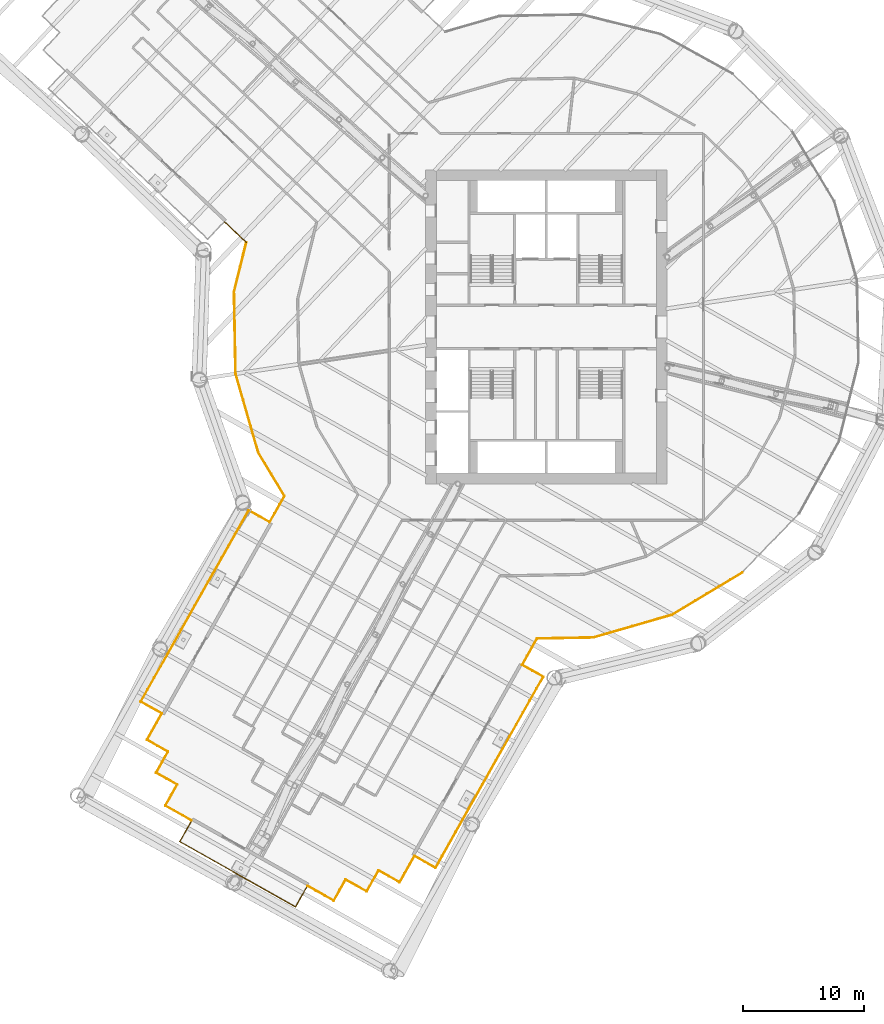
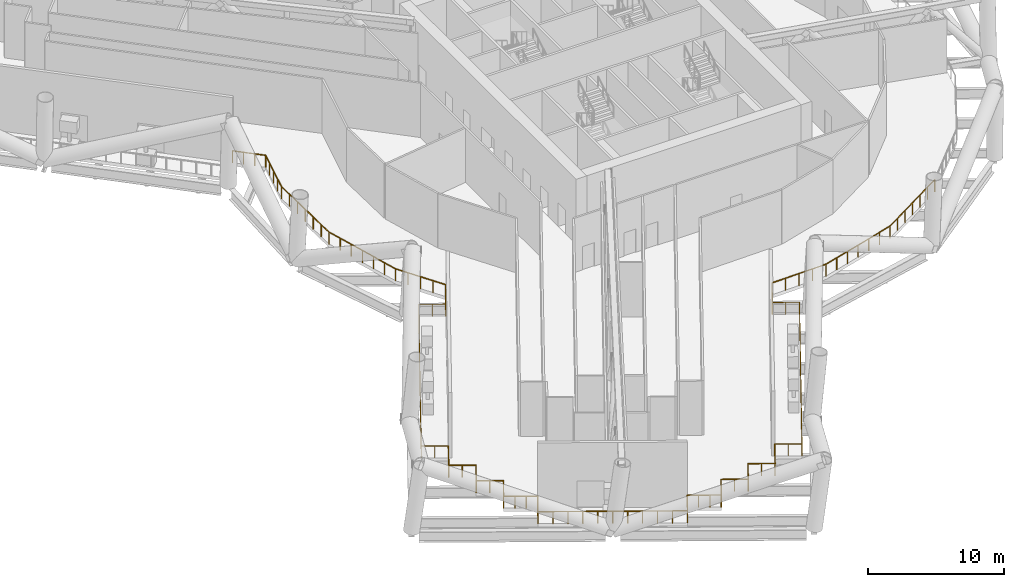
# One storey, part 34 of 39: 25 railings.
"""IFC4 building model written with IfcOpenShell, lengths in metres."""

from ifc_helpers import new_model, si_unit, direction, frame, origin, origin_2d, place, context, subcontext, project, spatial, circle, extrude, material, type_object, element, save


model = new_model("IFC4")

# Units and contexts
model_context = context("Model", 3, precision=1e-05, world=origin(), true_north=direction((0.0, 1.0)))
body_context = subcontext(model_context, "Body", "Model", "MODEL_VIEW")
ifc_project = project(units=[si_unit("LENGTHUNIT", "METRE"), si_unit("AREAUNIT", "SQUARE_METRE"), si_unit("VOLUMEUNIT", "CUBIC_METRE"), si_unit("PLANEANGLEUNIT", "RADIAN"), si_unit("MASSUNIT", "GRAM", prefix="KILO")], contexts=[model_context])

# Site, building, storey
site_placement = place(None, origin())
site = spatial("IfcSite", under=ifc_project, at=site_placement, CompositionType="ELEMENT")
building_placement = place(site_placement, origin())
building = spatial("IfcBuilding", under=site, at=building_placement, Name="Tarsis Ring Headquarters", CompositionType="ELEMENT")
storey_placement = place(building_placement, frame((0.0, 0.0, 86.800048828125)))
storey = spatial("IfcBuildingStorey", under=building, at=storey_placement, Name="L19", CompositionType="ELEMENT", Elevation=86.800048828125)

# Railings
ifc_material = material(Name="Stainless steel guard", Category="steel")
railing_type_1 = type_object("IfcRailingType", Name="Balcony balustrade with mesh infill 1100", PredefinedType="BALUSTRADE", material=ifc_material)
railing_1_placement = place(storey_placement, frame((-22.893798828125, -16.167236328125, 0.0)))
element("IfcRailing", 1, at=railing_1_placement, inside=storey, type_object=railing_type_1, Name="Balcony balustrade L19-06", PredefinedType="BALUSTRADE", context=body_context, shape_type="SweptSolid", body=[
    extrude(circle(Radius=0.030029296875, at=origin_2d()), frame((0.0, 0.0, 1.070068359375), z_axis=(-0.871053461918, 0.491188218996, 0.0), x_axis=(-0.491188218996, -0.871053461918, 0.0)), (0.0, 0.0, 1.0), 2.0),
    extrude(circle(Radius=0.030029296875, at=origin_2d()), frame((-1.7421875, 0.982421875, 1.070068359375), z_axis=(-0.491208811676, -0.871041849357, 0.0), x_axis=(0.871041849357, -0.491208811676, 0.0)), (0.0, 0.0, 1.0), 18.172119140625),
    extrude(circle(Radius=0.030029296875, at=origin_2d()), frame((-10.66845703125, -14.84619140625, 1.070068359375), z_axis=(0.871053461918, -0.491188218996, 0.0), x_axis=(0.491188218996, 0.871053461918, 0.0)), (0.0, 0.0, 1.0), 2.0),
    extrude(circle(Radius=0.02490234375, at=origin_2d()), origin(), (0.0, 0.0, 1.0), 1.0400390625),
    extrude(circle(Radius=0.02490234375, at=origin_2d()), frame((-0.87109375, 0.4912109375, 0.0)), (0.0, 0.0, 1.0), 1.0400390625),
    extrude(circle(Radius=0.02490234375, at=origin_2d()), frame((-1.7421875, 0.982421875, 0.0)), (0.0, 0.0, 1.0), 1.0400390625),
    extrude(circle(Radius=0.02490234375, at=origin_2d()), frame((-2.300048828125, -0.0068359375, 0.0)), (0.0, 0.0, 1.0), 1.0400390625),
    extrude(circle(Radius=0.02490234375, at=origin_2d()), frame((-2.85791015625, -0.99609375, 0.0)), (0.0, 0.0, 1.0), 1.0400390625),
    extrude(circle(Radius=0.02490234375, at=origin_2d()), frame((-3.415771484375, -1.9853515625, 0.0)), (0.0, 0.0, 1.0), 1.0400390625),
    extrude(circle(Radius=0.02490234375, at=origin_2d()), frame((-3.9736328125, -2.974609375, 0.0)), (0.0, 0.0, 1.0), 1.0400390625),
    extrude(circle(Radius=0.02490234375, at=origin_2d()), frame((-4.53173828125, -3.964111328125, 0.0)), (0.0, 0.0, 1.0), 1.0400390625),
    extrude(circle(Radius=0.02490234375, at=origin_2d()), frame((-5.089599609375, -4.953369140625, 0.0)), (0.0, 0.0, 1.0), 1.0400390625),
    extrude(circle(Radius=0.02490234375, at=origin_2d()), frame((-5.6474609375, -5.942626953125, 0.0)), (0.0, 0.0, 1.0), 1.0400390625),
    extrude(circle(Radius=0.02490234375, at=origin_2d()), frame((-6.205322265625, -6.931884765625, 0.0)), (0.0, 0.0, 1.0), 1.0400390625),
    extrude(circle(Radius=0.02490234375, at=origin_2d()), frame((-6.76318359375, -7.921142578125, 0.0)), (0.0, 0.0, 1.0), 1.0400390625),
    extrude(circle(Radius=0.02490234375, at=origin_2d()), frame((-7.321044921875, -8.910400390625, 0.0)), (0.0, 0.0, 1.0), 1.0400390625),
    extrude(circle(Radius=0.02490234375, at=origin_2d()), frame((-7.87890625, -9.899658203125, 0.0)), (0.0, 0.0, 1.0), 1.0400390625),
    extrude(circle(Radius=0.02490234375, at=origin_2d()), frame((-8.43701171875, -10.88916015625, 0.0)), (0.0, 0.0, 1.0), 1.0400390625),
    extrude(circle(Radius=0.02490234375, at=origin_2d()), frame((-8.994873046875, -11.87841796875, 0.0)), (0.0, 0.0, 1.0), 1.0400390625),
    extrude(circle(Radius=0.02490234375, at=origin_2d()), frame((-9.552734375, -12.86767578125, 0.0)), (0.0, 0.0, 1.0), 1.0400390625),
    extrude(circle(Radius=0.02490234375, at=origin_2d()), frame((-10.110595703125, -13.85693359375, 0.0)), (0.0, 0.0, 1.0), 1.0400390625),
    extrude(circle(Radius=0.02490234375, at=origin_2d()), frame((-10.66845703125, -14.84619140625, 0.0)), (0.0, 0.0, 1.0), 1.0400390625),
    extrude(circle(Radius=0.02490234375, at=origin_2d()), frame((-9.79736328125, -15.33740234375, 0.0)), (0.0, 0.0, 1.0), 1.0400390625),
    extrude(circle(Radius=0.02490234375, at=origin_2d()), frame((-8.92626953125, -15.82861328125, 0.0)), (0.0, 0.0, 1.0), 1.0400390625),
])
railing_2_placement = place(storey_placement, frame((-29.35107421875, -40.8505859375, 0.0)))
element("IfcRailing", 2, at=railing_2_placement, inside=storey, type_object=railing_type_1, Name="Balcony balustrade L19-11", PredefinedType="BALUSTRADE", context=body_context, shape_type="SweptSolid", body=[
    extrude(circle(Radius=0.030029296875, at=origin_2d()), frame((0.0, 0.0, 1.070068359375), z_axis=(-0.491240449181, -0.871024007183, 0.0), x_axis=(0.871024007183, -0.491240449181, 0.0)), (0.0, 0.0, 1.0), 2.0),
    extrude(circle(Radius=0.030029296875, at=origin_2d()), frame((-0.982421875, -1.741943359375, 1.070068359375), z_axis=(0.871042752192, -0.49120721071, 0.0), x_axis=(0.49120721071, 0.871042752192, 0.0)), (0.0, 0.0, 1.0), 11.0),
    extrude(circle(Radius=0.030029296875, at=origin_2d()), frame((8.59912109375, -7.145263671875, 1.070068359375), z_axis=(0.491095596038, 0.871105685639, 0.0), x_axis=(-0.871105685639, 0.491095596038, 0.0)), (0.0, 0.0, 1.0), 2.0),
    extrude(circle(Radius=0.02490234375, at=origin_2d()), origin(), (0.0, 0.0, 1.0), 1.0400390625),
    extrude(circle(Radius=0.02490234375, at=origin_2d()), frame((-0.4912109375, -0.87109375, 0.0)), (0.0, 0.0, 1.0), 1.0400390625),
    extrude(circle(Radius=0.02490234375, at=origin_2d()), frame((-0.982421875, -1.741943359375, 0.0)), (0.0, 0.0, 1.0), 1.0400390625),
    extrude(circle(Radius=0.02490234375, at=origin_2d()), frame((-0.024169921875, -2.2822265625, 0.0)), (0.0, 0.0, 1.0), 1.0400390625),
    extrude(circle(Radius=0.02490234375, at=origin_2d()), frame((0.933837890625, -2.822509765625, 0.0)), (0.0, 0.0, 1.0), 1.0400390625),
    extrude(circle(Radius=0.02490234375, at=origin_2d()), frame((1.89208984375, -3.363037109375, 0.0)), (0.0, 0.0, 1.0), 1.0400390625),
    extrude(circle(Radius=0.02490234375, at=origin_2d()), frame((2.85009765625, -3.9033203125, 0.0)), (0.0, 0.0, 1.0), 1.0400390625),
    extrude(circle(Radius=0.02490234375, at=origin_2d()), frame((3.808349609375, -4.443603515625, 0.0)), (0.0, 0.0, 1.0), 1.0400390625),
    extrude(circle(Radius=0.02490234375, at=origin_2d()), frame((4.7666015625, -4.98388671875, 0.0)), (0.0, 0.0, 1.0), 1.0400390625),
    extrude(circle(Radius=0.02490234375, at=origin_2d()), frame((5.724609375, -5.524169921875, 0.0)), (0.0, 0.0, 1.0), 1.0400390625),
    extrude(circle(Radius=0.02490234375, at=origin_2d()), frame((6.682861328125, -6.064697265625, 0.0)), (0.0, 0.0, 1.0), 1.0400390625),
    extrude(circle(Radius=0.02490234375, at=origin_2d()), frame((7.640869140625, -6.60498046875, 0.0)), (0.0, 0.0, 1.0), 1.0400390625),
    extrude(circle(Radius=0.02490234375, at=origin_2d()), frame((8.59912109375, -7.145263671875, 0.0)), (0.0, 0.0, 1.0), 1.0400390625),
    extrude(circle(Radius=0.02490234375, at=origin_2d()), frame((9.09033203125, -6.274169921875, 0.0)), (0.0, 0.0, 1.0), 1.0400390625),
    extrude(circle(Radius=0.02490234375, at=origin_2d()), frame((9.581298828125, -5.403076171875, 0.0)), (0.0, 0.0, 1.0), 1.0400390625),
])
railing_3_placement = place(storey_placement, frame((-10.9150390625, -43.784912109375, 0.0)))
element("IfcRailing", 3, at=railing_3_placement, inside=storey, type_object=railing_type_1, Name="Balcony balustrade L19-16", PredefinedType="BALUSTRADE", context=body_context, shape_type="SweptSolid", body=[
    extrude(circle(Radius=0.030029296875, at=origin_2d()), frame((0.0, 0.0, 1.070068359375), z_axis=(0.871053461918, -0.491188218996, 0.0), x_axis=(0.491188218996, 0.871053461918, 0.0)), (0.0, 0.0, 1.0), 2.0),
    extrude(circle(Radius=0.030029296875, at=origin_2d()), frame((1.7421875, -0.982421875, 1.070068359375), z_axis=(0.491206066596, 0.871043397392, 0.0), x_axis=(-0.871043397392, 0.491206066596, 0.0)), (0.0, 0.0, 1.0), 18.1513671875),
    extrude(circle(Radius=0.030029296875, at=origin_2d()), frame((10.658203125, 14.828125, 1.070068359375), z_axis=(-0.871053461918, 0.491188218996, 0.0), x_axis=(-0.491188218996, -0.871053461918, 0.0)), (0.0, 0.0, 1.0), 2.0),
    extrude(circle(Radius=0.02490234375, at=origin_2d()), origin(), (0.0, 0.0, 1.0), 1.0400390625),
    extrude(circle(Radius=0.02490234375, at=origin_2d()), frame((0.87109375, -0.4912109375, 0.0)), (0.0, 0.0, 1.0), 1.0400390625),
    extrude(circle(Radius=0.02490234375, at=origin_2d()), frame((1.7421875, -0.982421875, 0.0)), (0.0, 0.0, 1.0), 1.0400390625),
    extrude(circle(Radius=0.02490234375, at=origin_2d()), frame((2.29931640625, 0.005859375, 0.0)), (0.0, 0.0, 1.0), 1.0400390625),
    extrude(circle(Radius=0.02490234375, at=origin_2d()), frame((2.856689453125, 0.993896484375, 0.0)), (0.0, 0.0, 1.0), 1.0400390625),
    extrude(circle(Radius=0.02490234375, at=origin_2d()), frame((3.4140625, 1.98193359375, 0.0)), (0.0, 0.0, 1.0), 1.0400390625),
    extrude(circle(Radius=0.02490234375, at=origin_2d()), frame((3.97119140625, 2.97021484375, 0.0)), (0.0, 0.0, 1.0), 1.0400390625),
    extrude(circle(Radius=0.02490234375, at=origin_2d()), frame((4.5283203125, 3.95849609375, 0.0)), (0.0, 0.0, 1.0), 1.0400390625),
    extrude(circle(Radius=0.02490234375, at=origin_2d()), frame((5.085693359375, 4.946533203125, 0.0)), (0.0, 0.0, 1.0), 1.0400390625),
    extrude(circle(Radius=0.02490234375, at=origin_2d()), frame((5.64306640625, 5.9345703125, 0.0)), (0.0, 0.0, 1.0), 1.0400390625),
    extrude(circle(Radius=0.02490234375, at=origin_2d()), frame((6.2001953125, 6.9228515625, 0.0)), (0.0, 0.0, 1.0), 1.0400390625),
    extrude(circle(Radius=0.02490234375, at=origin_2d()), frame((6.75732421875, 7.9111328125, 0.0)), (0.0, 0.0, 1.0), 1.0400390625),
    extrude(circle(Radius=0.02490234375, at=origin_2d()), frame((7.314697265625, 8.899169921875, 0.0)), (0.0, 0.0, 1.0), 1.0400390625),
    extrude(circle(Radius=0.02490234375, at=origin_2d()), frame((7.8720703125, 9.88720703125, 0.0)), (0.0, 0.0, 1.0), 1.0400390625),
    extrude(circle(Radius=0.02490234375, at=origin_2d()), frame((8.42919921875, 10.87548828125, 0.0)), (0.0, 0.0, 1.0), 1.0400390625),
    extrude(circle(Radius=0.02490234375, at=origin_2d()), frame((8.986328125, 11.86376953125, 0.0)), (0.0, 0.0, 1.0), 1.0400390625),
    extrude(circle(Radius=0.02490234375, at=origin_2d()), frame((9.543701171875, 12.851806640625, 0.0)), (0.0, 0.0, 1.0), 1.0400390625),
    extrude(circle(Radius=0.02490234375, at=origin_2d()), frame((10.10107421875, 13.83984375, 0.0)), (0.0, 0.0, 1.0), 1.0400390625),
    extrude(circle(Radius=0.02490234375, at=origin_2d()), frame((10.658203125, 14.828125, 0.0)), (0.0, 0.0, 1.0), 1.0400390625),
    extrude(circle(Radius=0.02490234375, at=origin_2d()), frame((9.787109375, 15.3193359375, 0.0)), (0.0, 0.0, 1.0), 1.0400390625),
    extrude(circle(Radius=0.02490234375, at=origin_2d()), frame((8.916015625, 15.810546875, 0.0)), (0.0, 0.0, 1.0), 1.0400390625),
])
railing_type_2 = type_object("IfcRailingType", Name="Guard rail with mesh infill 1100", PredefinedType="GUARDRAIL", material=ifc_material)
railing_4_placement = place(storey_placement, frame((-26.644775390625, 8.69287109375, 0.0)))
element("IfcRailing", 4, at=railing_4_placement, inside=storey, type_object=railing_type_2, Name="Guard L19-01b", PredefinedType="GUARDRAIL", context=body_context, shape_type="SweptSolid", body=[
    extrude(circle(Radius=0.030029296875, at=origin_2d()), frame((0.0, 0.0, 1.070068359375), z_axis=(0.726368268142, -0.687305710027, 0.0), x_axis=(0.687305710027, 0.726368268142, 0.0)), (0.0, 0.0, 1.0), 2.5),
    extrude(circle(Radius=0.02490234375, at=origin_2d()), origin(), (0.0, 0.0, 1.0), 1.0400390625),
    extrude(circle(Radius=0.02490234375, at=origin_2d()), frame((0.605224609375, -0.57275390625, 0.0)), (0.0, 0.0, 1.0), 1.0400390625),
    extrude(circle(Radius=0.02490234375, at=origin_2d()), frame((1.210693359375, -1.1455078125, 0.0)), (0.0, 0.0, 1.0), 1.0400390625),
    extrude(circle(Radius=0.02490234375, at=origin_2d()), frame((1.81591796875, -1.71826171875, 0.0)), (0.0, 0.0, 1.0), 1.0400390625),
])
railing_5_placement = place(storey_placement, frame((-24.828857421875, 6.974609375, 0.0)))
element("IfcRailing", 5, at=railing_5_placement, inside=storey, type_object=railing_type_2, Name="Guard L19-02", PredefinedType="GUARDRAIL", context=body_context, shape_type="SweptSolid", body=[
    extrude(circle(Radius=0.030029296875, at=origin_2d()), frame((0.0, 0.0, 1.070068359375), z_axis=(-0.240561091507, -0.970633999638, 0.0), x_axis=(0.970633999638, -0.240561091507, 0.0)), (0.0, 0.0, 1.0), 4.1904296875),
    extrude(circle(Radius=0.02490234375, at=origin_2d()), origin(), (0.0, 0.0, 1.0), 1.0400390625),
    extrude(circle(Radius=0.02490234375, at=origin_2d()), frame((-0.251953125, -1.016845703125, 0.0)), (0.0, 0.0, 1.0), 1.0400390625),
    extrude(circle(Radius=0.02490234375, at=origin_2d()), frame((-0.50390625, -2.03369140625, 0.0)), (0.0, 0.0, 1.0), 1.0400390625),
    extrude(circle(Radius=0.02490234375, at=origin_2d()), frame((-0.756103515625, -3.050537109375, 0.0)), (0.0, 0.0, 1.0), 1.0400390625),
    extrude(circle(Radius=0.02490234375, at=origin_2d()), frame((-1.008056640625, -4.0673828125, 0.0)), (0.0, 0.0, 1.0), 1.0400390625),
])
railing_6_placement = place(storey_placement, frame((-25.8369140625, 2.9072265625, 0.0)))
element("IfcRailing", 6, at=railing_6_placement, inside=storey, type_object=railing_type_2, Name="Guard L19-03", PredefinedType="GUARDRAIL", context=body_context, shape_type="SweptSolid", body=[
    extrude(circle(Radius=0.030029296875, at=origin_2d()), frame((0.0, 0.0, 1.070068359375), z_axis=(0.018848284436, -0.999822355308, 0.0), x_axis=(0.999822355308, 0.018848284436, 0.0)), (0.0, 0.0, 1.0), 6.787353515625),
    extrude(circle(Radius=0.02490234375, at=origin_2d()), origin(), (0.0, 0.0, 1.0), 1.0400390625),
    extrude(circle(Radius=0.02490234375, at=origin_2d()), frame((0.021240234375, -1.131103515625, 0.0)), (0.0, 0.0, 1.0), 1.0400390625),
    extrude(circle(Radius=0.02490234375, at=origin_2d()), frame((0.042724609375, -2.261962890625, 0.0)), (0.0, 0.0, 1.0), 1.0400390625),
    extrude(circle(Radius=0.02490234375, at=origin_2d()), frame((0.06396484375, -3.39306640625, 0.0)), (0.0, 0.0, 1.0), 1.0400390625),
    extrude(circle(Radius=0.02490234375, at=origin_2d()), frame((0.085205078125, -4.524169921875, 0.0)), (0.0, 0.0, 1.0), 1.0400390625),
    extrude(circle(Radius=0.02490234375, at=origin_2d()), frame((0.106689453125, -5.655029296875, 0.0)), (0.0, 0.0, 1.0), 1.0400390625),
    extrude(circle(Radius=0.02490234375, at=origin_2d()), frame((0.1279296875, -6.7861328125, 0.0)), (0.0, 0.0, 1.0), 1.0400390625),
])
railing_7_placement = place(storey_placement, frame((-25.708984375, -3.87890625, 0.0)))
element("IfcRailing", 7, at=railing_7_placement, inside=storey, type_object=railing_type_2, Name="Guard L19-04", PredefinedType="GUARDRAIL", context=body_context, shape_type="SweptSolid", body=[
    extrude(circle(Radius=0.030029296875, at=origin_2d()), frame((0.0, 0.0, 1.070068359375), z_axis=(0.276962685986, -0.960880674471, 0.0), x_axis=(0.960880674471, 0.276962685986, 0.0)), (0.0, 0.0, 1.0), 6.78759765625),
    extrude(circle(Radius=0.02490234375, at=origin_2d()), origin(), (0.0, 0.0, 1.0), 1.0400390625),
    extrude(circle(Radius=0.02490234375, at=origin_2d()), frame((0.313232421875, -1.0869140625, 0.0)), (0.0, 0.0, 1.0), 1.0400390625),
    extrude(circle(Radius=0.02490234375, at=origin_2d()), frame((0.626708984375, -2.174072265625, 0.0)), (0.0, 0.0, 1.0), 1.0400390625),
    extrude(circle(Radius=0.02490234375, at=origin_2d()), frame((0.93994140625, -3.260986328125, 0.0)), (0.0, 0.0, 1.0), 1.0400390625),
    extrude(circle(Radius=0.02490234375, at=origin_2d()), frame((1.253173828125, -4.347900390625, 0.0)), (0.0, 0.0, 1.0), 1.0400390625),
    extrude(circle(Radius=0.02490234375, at=origin_2d()), frame((1.566650390625, -5.43505859375, 0.0)), (0.0, 0.0, 1.0), 1.0400390625),
    extrude(circle(Radius=0.02490234375, at=origin_2d()), frame((1.8798828125, -6.52197265625, 0.0)), (0.0, 0.0, 1.0), 1.0400390625),
])
railing_8_placement = place(storey_placement, frame((-23.8291015625, -10.40087890625, 0.0)))
element("IfcRailing", 8, at=railing_8_placement, inside=storey, type_object=railing_type_2, Name="Guard L19-05", PredefinedType="GUARDRAIL", context=body_context, shape_type="SweptSolid", body=[
    extrude(circle(Radius=0.030029296875, at=origin_2d()), frame((0.0, 0.0, 1.070068359375), z_axis=(0.516251075138, -0.856437287499, 0.0), x_axis=(0.856437287499, 0.516251075138, 0.0)), (0.0, 0.0, 1.0), 4.1904296875),
    extrude(circle(Radius=0.02490234375, at=origin_2d()), origin(), (0.0, 0.0, 1.0), 1.0400390625),
    extrude(circle(Radius=0.02490234375, at=origin_2d()), frame((0.540771484375, -0.897216796875, 0.0)), (0.0, 0.0, 1.0), 1.0400390625),
    extrude(circle(Radius=0.02490234375, at=origin_2d()), frame((1.08154296875, -1.79443359375, 0.0)), (0.0, 0.0, 1.0), 1.0400390625),
    extrude(circle(Radius=0.02490234375, at=origin_2d()), frame((1.62255859375, -2.691650390625, 0.0)), (0.0, 0.0, 1.0), 1.0400390625),
    extrude(circle(Radius=0.02490234375, at=origin_2d()), frame((2.163330078125, -3.5888671875, 0.0)), (0.0, 0.0, 1.0), 1.0400390625),
])
for number, where, name in (
    (9, (-21.665771484375, -13.98974609375, 0.0), "Guard L19-06a"),
    (10, (-31.820068359375, -31.995849609375, 0.0), "Guard L19-06b"),
):
    element("IfcRailing", number, at=place(storey_placement, frame(where)), inside=storey, type_object=railing_type_2, Name=name, PredefinedType="GUARDRAIL", context=body_context, shape_type="SweptSolid", body=[
        extrude(circle(Radius=0.030029296875, at=origin_2d()), frame((0.0, 0.0, 1.070068359375), z_axis=(-0.491230002396, -0.871029898882, 0.0), x_axis=(0.871029898882, -0.491230002396, 0.0)), (0.0, 0.0, 1.0), 2.5),
        extrude(circle(Radius=0.02490234375, at=origin_2d()), origin(), (0.0, 0.0, 1.0), 1.0400390625),
        extrude(circle(Radius=0.02490234375, at=origin_2d()), frame((-0.409423828125, -0.725830078125, 0.0)), (0.0, 0.0, 1.0), 1.0400390625),
        extrude(circle(Radius=0.02490234375, at=origin_2d()), frame((-0.818603515625, -1.45166015625, 0.0)), (0.0, 0.0, 1.0), 1.0400390625),
        extrude(circle(Radius=0.02490234375, at=origin_2d()), frame((-1.22802734375, -2.177490234375, 0.0)), (0.0, 0.0, 1.0), 1.0400390625),
    ])
railing_9_placement = place(storey_placement, frame((-33.048095703125, -34.17333984375, 0.0)))
element("IfcRailing", 11, at=railing_9_placement, inside=storey, type_object=railing_type_2, Name="Guard L19-07", PredefinedType="GUARDRAIL", context=body_context, shape_type="SweptSolid", body=[
    extrude(circle(Radius=0.030029296875, at=origin_2d()), frame((0.0, 0.0, 1.070068359375), z_axis=(0.871053461918, -0.491188218996, 0.0), x_axis=(0.491188218996, 0.871053461918, 0.0)), (0.0, 0.0, 1.0), 2.0),
    extrude(circle(Radius=0.02490234375, at=origin_2d()), origin(), (0.0, 0.0, 1.0), 1.0400390625),
    extrude(circle(Radius=0.02490234375, at=origin_2d()), frame((0.87109375, -0.4912109375, 0.0)), (0.0, 0.0, 1.0), 1.0400390625),
    extrude(circle(Radius=0.02490234375, at=origin_2d()), frame((1.7421875, -0.982421875, 0.0)), (0.0, 0.0, 1.0), 1.0400390625),
])
railing_10_placement = place(storey_placement, frame((-31.305908203125, -35.15576171875, 0.0)))
element("IfcRailing", 12, at=railing_10_placement, inside=storey, type_object=railing_type_2, Name="Guard L19-08", PredefinedType="GUARDRAIL", context=body_context, shape_type="SweptSolid", body=[
    extrude(circle(Radius=0.030029296875, at=origin_2d()), frame((0.0, 0.0, 1.070068359375), z_axis=(-0.491188218996, -0.871053461918, 0.0), x_axis=(0.871053461918, -0.491188218996, 0.0)), (0.0, 0.0, 1.0), 2.0),
    extrude(circle(Radius=0.02490234375, at=origin_2d()), origin(), (0.0, 0.0, 1.0), 1.0400390625),
    extrude(circle(Radius=0.02490234375, at=origin_2d()), frame((-0.4912109375, -0.87109375, 0.0)), (0.0, 0.0, 1.0), 1.0400390625),
    extrude(circle(Radius=0.02490234375, at=origin_2d()), frame((-0.982421875, -1.7421875, 0.0)), (0.0, 0.0, 1.0), 1.0400390625),
])
railing_11_placement = place(storey_placement, frame((-32.288330078125, -36.89794921875, 0.0)))
element("IfcRailing", 13, at=railing_11_placement, inside=storey, type_object=railing_type_2, Name="Guard L19-09", PredefinedType="GUARDRAIL", context=body_context, shape_type="SweptSolid", body=[
    extrude(circle(Radius=0.030029296875, at=origin_2d()), frame((0.0, 0.0, 1.070068359375), z_axis=(0.871024007183, -0.491240449181, 0.0), x_axis=(0.491240449181, 0.871024007183, 0.0)), (0.0, 0.0, 1.0), 2.0),
    extrude(circle(Radius=0.02490234375, at=origin_2d()), origin(), (0.0, 0.0, 1.0), 1.0400390625),
    extrude(circle(Radius=0.02490234375, at=origin_2d()), frame((0.87109375, -0.4912109375, 0.0)), (0.0, 0.0, 1.0), 1.0400390625),
    extrude(circle(Radius=0.02490234375, at=origin_2d()), frame((1.741943359375, -0.982421875, 0.0)), (0.0, 0.0, 1.0), 1.0400390625),
])
railing_12_placement = place(storey_placement, frame((-30.54638671875, -37.88037109375, 0.0)))
element("IfcRailing", 14, at=railing_12_placement, inside=storey, type_object=railing_type_2, Name="Guard L19-10", PredefinedType="GUARDRAIL", context=body_context, shape_type="SweptSolid", body=[
    extrude(circle(Radius=0.030029296875, at=origin_2d()), frame((0.0, 0.0, 1.070068359375), z_axis=(-0.491188218996, -0.871053461918, 0.0), x_axis=(0.871053461918, -0.491188218996, 0.0)), (0.0, 0.0, 1.0), 2.0),
    extrude(circle(Radius=0.02490234375, at=origin_2d()), origin(), (0.0, 0.0, 1.0), 1.0400390625),
    extrude(circle(Radius=0.02490234375, at=origin_2d()), frame((-0.4912109375, -0.87109375, 0.0)), (0.0, 0.0, 1.0), 1.0400390625),
    extrude(circle(Radius=0.02490234375, at=origin_2d()), frame((-0.982421875, -1.7421875, 0.0)), (0.0, 0.0, 1.0), 1.0400390625),
])
for number, where, name in (
    (15, (-31.52880859375, -39.62255859375, 0.0), "Guard L19-11a"),
    (16, (-19.769775390625, -46.253662109375, 0.0), "Guard L19-11b"),
):
    element("IfcRailing", number, at=place(storey_placement, frame(where)), inside=storey, type_object=railing_type_2, Name=name, PredefinedType="GUARDRAIL", context=body_context, shape_type="SweptSolid", body=[
        extrude(circle(Radius=0.030029296875, at=origin_2d()), frame((0.0, 0.0, 1.070068359375), z_axis=(0.871053461918, -0.491188218996, 0.0), x_axis=(0.491188218996, 0.871053461918, 0.0)), (0.0, 0.0, 1.0), 2.5),
        extrude(circle(Radius=0.02490234375, at=origin_2d()), origin(), (0.0, 0.0, 1.0), 1.0400390625),
        extrude(circle(Radius=0.02490234375, at=origin_2d()), frame((0.725830078125, -0.409423828125, 0.0)), (0.0, 0.0, 1.0), 1.0400390625),
        extrude(circle(Radius=0.02490234375, at=origin_2d()), frame((1.451904296875, -0.818603515625, 0.0)), (0.0, 0.0, 1.0), 1.0400390625),
        extrude(circle(Radius=0.02490234375, at=origin_2d()), frame((2.177734375, -1.22802734375, 0.0)), (0.0, 0.0, 1.0), 1.0400390625),
    ])
railing_13_placement = place(storey_placement, frame((-17.592041015625, -47.481689453125, 0.0)))
element("IfcRailing", 17, at=railing_13_placement, inside=storey, type_object=railing_type_2, Name="Guard L19-12", PredefinedType="GUARDRAIL", context=body_context, shape_type="SweptSolid", body=[
    extrude(circle(Radius=0.030029296875, at=origin_2d()), frame((0.0, 0.0, 1.070068359375), z_axis=(0.491240449181, 0.871024007183, 0.0), x_axis=(-0.871024007183, 0.491240449181, 0.0)), (0.0, 0.0, 1.0), 2.0),
    extrude(circle(Radius=0.02490234375, at=origin_2d()), origin(), (0.0, 0.0, 1.0), 1.0400390625),
    extrude(circle(Radius=0.02490234375, at=origin_2d()), frame((0.4912109375, 0.87109375, 0.0)), (0.0, 0.0, 1.0), 1.0400390625),
    extrude(circle(Radius=0.02490234375, at=origin_2d()), frame((0.982421875, 1.741943359375, 0.0)), (0.0, 0.0, 1.0), 1.0400390625),
])
railing_14_placement = place(storey_placement, frame((-16.609619140625, -45.73974609375, 0.0)))
element("IfcRailing", 18, at=railing_14_placement, inside=storey, type_object=railing_type_2, Name="Guard L19-13", PredefinedType="GUARDRAIL", context=body_context, shape_type="SweptSolid", body=[
    extrude(circle(Radius=0.030029296875, at=origin_2d()), frame((0.0, 0.0, 1.070068359375), z_axis=(0.871053461918, -0.491188218996, 0.0), x_axis=(0.491188218996, 0.871053461918, 0.0)), (0.0, 0.0, 1.0), 2.0),
    extrude(circle(Radius=0.02490234375, at=origin_2d()), origin(), (0.0, 0.0, 1.0), 1.0400390625),
    extrude(circle(Radius=0.02490234375, at=origin_2d()), frame((0.87109375, -0.4912109375, 0.0)), (0.0, 0.0, 1.0), 1.0400390625),
    extrude(circle(Radius=0.02490234375, at=origin_2d()), frame((1.7421875, -0.982421875, 0.0)), (0.0, 0.0, 1.0), 1.0400390625),
])
railing_15_placement = place(storey_placement, frame((-14.867431640625, -46.72216796875, 0.0)))
element("IfcRailing", 19, at=railing_15_placement, inside=storey, type_object=railing_type_2, Name="Guard L19-14", PredefinedType="GUARDRAIL", context=body_context, shape_type="SweptSolid", body=[
    extrude(circle(Radius=0.030029296875, at=origin_2d()), frame((0.0, 0.0, 1.070068359375), z_axis=(0.491095596038, 0.871105685639, 0.0), x_axis=(-0.871105685639, 0.491095596038, 0.0)), (0.0, 0.0, 1.0), 2.0),
    extrude(circle(Radius=0.02490234375, at=origin_2d()), origin(), (0.0, 0.0, 1.0), 1.0400390625),
    extrude(circle(Radius=0.02490234375, at=origin_2d()), frame((0.4912109375, 0.87109375, 0.0)), (0.0, 0.0, 1.0), 1.0400390625),
    extrude(circle(Radius=0.02490234375, at=origin_2d()), frame((0.982177734375, 1.7421875, 0.0)), (0.0, 0.0, 1.0), 1.0400390625),
])
railing_16_placement = place(storey_placement, frame((-13.88525390625, -44.97998046875, 0.0)))
element("IfcRailing", 20, at=railing_16_placement, inside=storey, type_object=railing_type_2, Name="Guard L19-15", PredefinedType="GUARDRAIL", context=body_context, shape_type="SweptSolid", body=[
    extrude(circle(Radius=0.030029296875, at=origin_2d()), frame((0.0, 0.0, 1.070068359375), z_axis=(0.871053461918, -0.491188218996, 0.0), x_axis=(0.491188218996, 0.871053461918, 0.0)), (0.0, 0.0, 1.0), 2.0),
    extrude(circle(Radius=0.02490234375, at=origin_2d()), origin(), (0.0, 0.0, 1.0), 1.0400390625),
    extrude(circle(Radius=0.02490234375, at=origin_2d()), frame((0.87109375, -0.4912109375, 0.0)), (0.0, 0.0, 1.0), 1.0400390625),
    extrude(circle(Radius=0.02490234375, at=origin_2d()), frame((1.7421875, -0.982421875, 0.0)), (0.0, 0.0, 1.0), 1.0400390625),
])
railing_17_placement = place(storey_placement, frame((-12.14306640625, -45.96240234375, 0.0)))
element("IfcRailing", 21, at=railing_17_placement, inside=storey, type_object=railing_type_2, Name="Guard L19-16a", PredefinedType="GUARDRAIL", context=body_context, shape_type="SweptSolid", body=[
    extrude(circle(Radius=0.030029296875, at=origin_2d()), frame((0.0, 0.0, 1.070068359375), z_axis=(0.491230002396, 0.871029898882, 0.0), x_axis=(-0.871029898882, 0.491230002396, 0.0)), (0.0, 0.0, 1.0), 2.5),
    extrude(circle(Radius=0.02490234375, at=origin_2d()), origin(), (0.0, 0.0, 1.0), 1.0400390625),
    extrude(circle(Radius=0.02490234375, at=origin_2d()), frame((0.409423828125, 0.725830078125, 0.0)), (0.0, 0.0, 1.0), 1.0400390625),
    extrude(circle(Radius=0.02490234375, at=origin_2d()), frame((0.818603515625, 1.45166015625, 0.0)), (0.0, 0.0, 1.0), 1.0400390625),
    extrude(circle(Radius=0.02490234375, at=origin_2d()), frame((1.22802734375, 2.177490234375, 0.0)), (0.0, 0.0, 1.0), 1.0400390625),
])
railing_18_placement = place(storey_placement, frame((-1.9990234375, -27.974365234375, 0.0)))
element("IfcRailing", 22, at=railing_18_placement, inside=storey, type_object=railing_type_2, Name="Guard L19-16b", PredefinedType="GUARDRAIL", context=body_context, shape_type="SweptSolid", body=[
    extrude(circle(Radius=0.030029296875, at=origin_2d()), frame((0.0, 0.0, 1.070068359375), z_axis=(0.491188218996, 0.871053461918, 0.0), x_axis=(-0.871053461918, 0.491188218996, 0.0)), (0.0, 0.0, 1.0), 2.5),
    extrude(circle(Radius=0.02490234375, at=origin_2d()), origin(), (0.0, 0.0, 1.0), 1.0400390625),
    extrude(circle(Radius=0.02490234375, at=origin_2d()), frame((0.409423828125, 0.725830078125, 0.0)), (0.0, 0.0, 1.0), 1.0400390625),
    extrude(circle(Radius=0.02490234375, at=origin_2d()), frame((0.818603515625, 1.451904296875, 0.0)), (0.0, 0.0, 1.0), 1.0400390625),
    extrude(circle(Radius=0.02490234375, at=origin_2d()), frame((1.22802734375, 2.177734375, 0.0)), (0.0, 0.0, 1.0), 1.0400390625),
])
railing_19_placement = place(storey_placement, frame((-0.77099609375, -25.796630859375, 0.0)))
element("IfcRailing", 23, at=railing_19_placement, inside=storey, type_object=railing_type_2, Name="Guard L19-17", PredefinedType="GUARDRAIL", context=body_context, shape_type="SweptSolid", body=[
    extrude(circle(Radius=0.030029296875, at=origin_2d()), frame((0.0, 0.0, 1.070068359375), z_axis=(0.999822402996, 0.01884575463, 0.0), x_axis=(-0.01884575463, 0.999822402996, 0.0)), (0.0, 0.0, 1.0), 4.650634765625),
    extrude(circle(Radius=0.02490234375, at=origin_2d()), origin(), (0.0, 0.0, 1.0), 1.0400390625),
    extrude(circle(Radius=0.02490234375, at=origin_2d()), frame((1.16259765625, 0.02197265625, 0.0)), (0.0, 0.0, 1.0), 1.0400390625),
    extrude(circle(Radius=0.02490234375, at=origin_2d()), frame((2.324951171875, 0.0439453125, 0.0)), (0.0, 0.0, 1.0), 1.0400390625),
    extrude(circle(Radius=0.02490234375, at=origin_2d()), frame((3.4873046875, 0.065673828125, 0.0)), (0.0, 0.0, 1.0), 1.0400390625),
    extrude(circle(Radius=0.02490234375, at=origin_2d()), frame((4.64990234375, 0.087646484375, 0.0)), (0.0, 0.0, 1.0), 1.0400390625),
])
railing_20_placement = place(storey_placement, frame((3.87890625, -25.708984375, 0.0)))
element("IfcRailing", 24, at=railing_20_placement, inside=storey, type_object=railing_type_2, Name="Guard L19-18", PredefinedType="GUARDRAIL", context=body_context, shape_type="SweptSolid", body=[
    extrude(circle(Radius=0.030029296875, at=origin_2d()), frame((0.0, 0.0, 1.070068359375), z_axis=(0.960880674471, 0.276962685986, 0.0), x_axis=(-0.276962685986, 0.960880674471, 0.0)), (0.0, 0.0, 1.0), 6.78759765625),
    extrude(circle(Radius=0.02490234375, at=origin_2d()), origin(), (0.0, 0.0, 1.0), 1.0400390625),
    extrude(circle(Radius=0.02490234375, at=origin_2d()), frame((1.0869140625, 0.313232421875, 0.0)), (0.0, 0.0, 1.0), 1.0400390625),
    extrude(circle(Radius=0.02490234375, at=origin_2d()), frame((2.174072265625, 0.626708984375, 0.0)), (0.0, 0.0, 1.0), 1.0400390625),
    extrude(circle(Radius=0.02490234375, at=origin_2d()), frame((3.260986328125, 0.93994140625, 0.0)), (0.0, 0.0, 1.0), 1.0400390625),
    extrude(circle(Radius=0.02490234375, at=origin_2d()), frame((4.347900390625, 1.253173828125, 0.0)), (0.0, 0.0, 1.0), 1.0400390625),
    extrude(circle(Radius=0.02490234375, at=origin_2d()), frame((5.43505859375, 1.566650390625, 0.0)), (0.0, 0.0, 1.0), 1.0400390625),
    extrude(circle(Radius=0.02490234375, at=origin_2d()), frame((6.52197265625, 1.8798828125, 0.0)), (0.0, 0.0, 1.0), 1.0400390625),
])
railing_21_placement = place(storey_placement, frame((10.40087890625, -23.8291015625, 0.0)))
element("IfcRailing", 25, at=railing_21_placement, inside=storey, type_object=railing_type_2, Name="Guard L19-19", PredefinedType="GUARDRAIL", context=body_context, shape_type="SweptSolid", body=[
    extrude(circle(Radius=0.030029296875, at=origin_2d()), frame((0.0, 0.0, 1.070068359375), z_axis=(0.856443789524, 0.516240288418, 0.0), x_axis=(-0.516240288418, 0.856443789524, 0.0)), (0.0, 0.0, 1.0), 6.787353515625),
    extrude(circle(Radius=0.02490234375, at=origin_2d()), origin(), (0.0, 0.0, 1.0), 1.0400390625),
    extrude(circle(Radius=0.02490234375, at=origin_2d()), frame((0.96875, 0.583984375, 0.0)), (0.0, 0.0, 1.0), 1.0400390625),
    extrude(circle(Radius=0.02490234375, at=origin_2d()), frame((1.937744140625, 1.16796875, 0.0)), (0.0, 0.0, 1.0), 1.0400390625),
    extrude(circle(Radius=0.02490234375, at=origin_2d()), frame((2.906494140625, 1.751953125, 0.0)), (0.0, 0.0, 1.0), 1.0400390625),
    extrude(circle(Radius=0.02490234375, at=origin_2d()), frame((3.875244140625, 2.3359375, 0.0)), (0.0, 0.0, 1.0), 1.0400390625),
    extrude(circle(Radius=0.02490234375, at=origin_2d()), frame((4.84423828125, 2.919921875, 0.0)), (0.0, 0.0, 1.0), 1.0400390625),
    extrude(circle(Radius=0.02490234375, at=origin_2d()), frame((5.81298828125, 3.50390625, 0.0)), (0.0, 0.0, 1.0), 1.0400390625),
])

save(model, "model.ifc")
